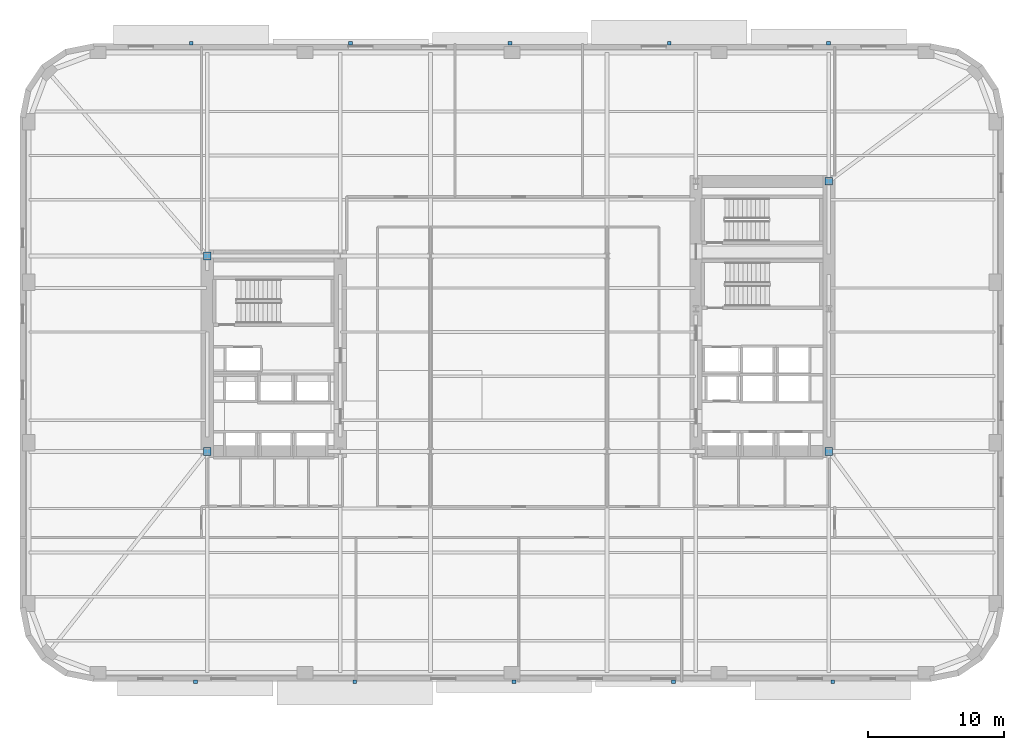
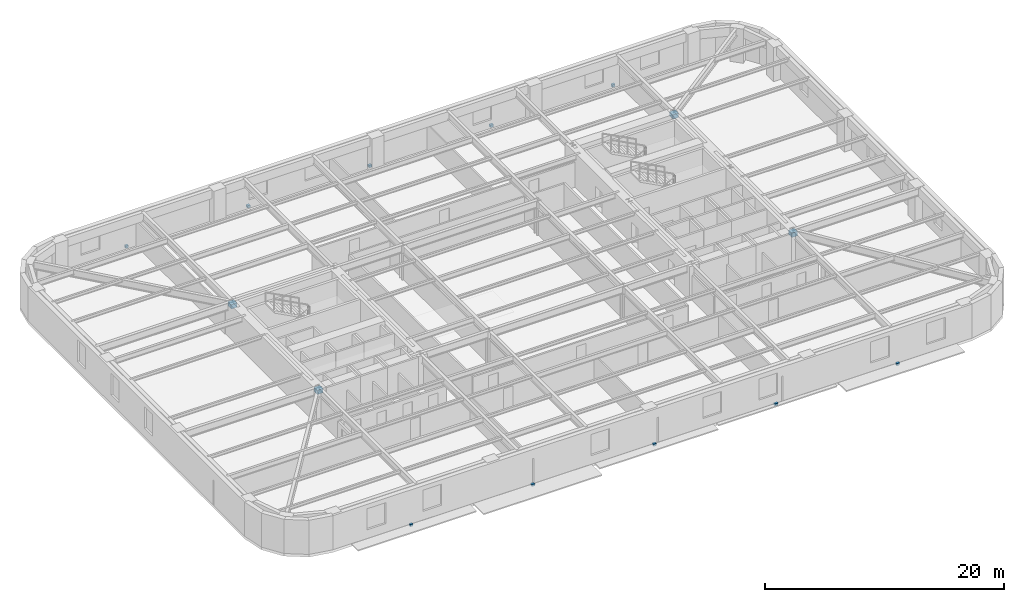
# One storey, part 8 of 15: 14 discrete accessories.
"""IFC4 building model written with IfcOpenShell, lengths in metres."""

import ifcopenshell
import ifcopenshell.guid

model = None  # the IFC model being written
_history = None  # IfcOwnerHistory: only IFC2X3 demands one
_inside = {}  # id of a spatial element -> (the spatial element, [elements in it])
_under = {}  # id of a project, library or spatial element -> (it, [spatial elements below it])
_declared = {}  # id of a project -> (the project, [libraries it declares])
_typed = {}  # id of a type object -> (the type object, [elements of that type])
_made_of = {}  # id of a material, layer set ... -> (it, [elements and type objects made of it])


def new_model(schema):
    """Start an empty IFC model of exactly this schema.

    Asked for "IFC4X3", IfcOpenShell would pick the latest addendum, in which some entities
    have other attributes; the version numbers below select the first issue.
    IFC2X3 requires an IfcOwnerHistory on every rooted entity: one is made here for all.
    """
    global model, _history
    if schema == "IFC4X3":
        model = ifcopenshell.file(schema_version=(4, 3, 0, 0))
    else:
        model = ifcopenshell.file(schema=schema)
    _inside.clear()
    _under.clear()
    _declared.clear()
    _typed.clear()
    _made_of.clear()
    _history = None
    if model.schema == "IFC2X3":
        org = make("IfcOrganization", Name="unknown")
        user = make(
            "IfcPersonAndOrganization",
            ThePerson=make("IfcPerson", FamilyName="unknown"),
            TheOrganization=org,
        )
        app = make(
            "IfcApplication",
            ApplicationDeveloper=org,
            Version="unknown",
            ApplicationFullName="unknown",
            ApplicationIdentifier="unknown",
        )
        _history = make(
            "IfcOwnerHistory",
            OwningUser=user,
            OwningApplication=app,
            ChangeAction="ADDED",
            CreationDate=0,
        )
    return model


def make(cls, **values):
    """One entity of the class cls with the attributes given. An attribute that is None is left unset."""
    return model.create_entity(
        cls, **{name: value for name, value in values.items() if value is not None}
    )


def rooted(cls, **values):
    """An entity with a GlobalId (a new one), such as an element, a storey or a relation."""
    return make(cls, GlobalId=ifcopenshell.guid.new(), OwnerHistory=_history, **values)


def si_unit(unit_type, name, prefix=None):
    """IfcSIUnit, for example si_unit("LENGTHUNIT", "METRE", prefix="MILLI")."""
    return make("IfcSIUnit", UnitType=unit_type, Prefix=prefix, Name=name)


def assignment(units):
    """IfcUnitAssignment: the units of a project."""
    return None if units is None else make("IfcUnitAssignment", Units=units)


def point(xyz):
    """IfcCartesianPoint."""
    return None if xyz is None else make("IfcCartesianPoint", Coordinates=xyz)


def direction(xyz):
    """IfcDirection."""
    return None if xyz is None else make("IfcDirection", DirectionRatios=xyz)


def frame(location, z_axis=None, x_axis=None):
    """IfcAxis2Placement3D, a coordinate frame: its origin and axes. An axis left out is left unset."""
    return make(
        "IfcAxis2Placement3D",
        Location=point(location),
        Axis=direction(z_axis),
        RefDirection=direction(x_axis),
    )


def frame_2d(location, x_axis=None):
    """IfcAxis2Placement2D, a coordinate frame in the plane: its origin and x axis."""
    return make(
        "IfcAxis2Placement2D", Location=point(location), RefDirection=direction(x_axis)
    )


def origin():
    """The frame at (0, 0, 0) with its axes left unset."""
    return frame((0.0, 0.0, 0.0))


def origin_2d():
    """The frame at (0, 0) in the plane with its x axis left unset."""
    return frame_2d((0.0, 0.0))


def place(relative_to, where):
    """IfcLocalPlacement: puts the frame where relative to a parent placement (None: the world)."""
    return make(
        "IfcLocalPlacement", PlacementRelTo=relative_to, RelativePlacement=where
    )


def context(
    kind, dimensions, precision=None, world=None, true_north=None, identifier=None
):
    """IfcGeometricRepresentationContext, for example the 3D "Model" context."""
    return make(
        "IfcGeometricRepresentationContext",
        ContextIdentifier=identifier,
        ContextType=kind,
        CoordinateSpaceDimension=dimensions,
        Precision=precision,
        WorldCoordinateSystem=world,
        TrueNorth=true_north,
    )


def subcontext(parent, identifier, kind, view, scale=None):
    """IfcGeometricRepresentationSubContext, for example "Body" below "Model"."""
    return make(
        "IfcGeometricRepresentationSubContext",
        ContextIdentifier=identifier,
        ContextType=kind,
        ParentContext=parent,
        TargetScale=scale,
        TargetView=view,
    )


def project(units=None, contexts=None):
    """IfcProject with its units and contexts."""
    return rooted(
        "IfcProject",
        Name="project",
        RepresentationContexts=contexts,
        UnitsInContext=assignment(units),
    )


def spatial(cls, under=None, at=None, **own):
    """A site, building, storey or space (cls), placed at a placement, below another one or the project."""
    s = rooted(cls, ObjectPlacement=at, **own)
    if under is not None:
        _under.setdefault(under.id(), (under, []))[1].append(s)
    return s


def profile(cls, at=None, kind="AREA", **sizes):
    """A parametric profile (cls). Its sizes go by their IFC names, for example OverallWidth=200.0."""
    return make(cls, ProfileType=kind, Position=at, **sizes)


def rectangle(**sizes):
    """IfcRectangleProfileDef."""
    return profile("IfcRectangleProfileDef", **sizes)


def extrude(swept, where, along, depth):
    """IfcExtrudedAreaSolid: the profile swept, set in the frame where, extruded along a direction by depth."""
    return make(
        "IfcExtrudedAreaSolid",
        SweptArea=swept,
        Position=where,
        ExtrudedDirection=direction(along),
        Depth=depth,
    )


def shape(context_of_items, identifier, shape_type, items):
    """IfcShapeRepresentation: the items that make up one representation, for example the "Body"."""
    return make(
        "IfcShapeRepresentation",
        ContextOfItems=context_of_items,
        RepresentationIdentifier=identifier,
        RepresentationType=shape_type,
        Items=items,
    )


def material(Name=None, Category=None):
    """IfcMaterial."""
    return make("IfcMaterial", Name=Name, Category=Category)


def made_of(thing, what):
    """Note that an element or type object is made of a material, layer set ...; save() writes the relation."""
    if what is not None:
        _made_of.setdefault(what.id(), (what, []))[1].append(thing)
    return thing


def type_object(cls, material=None, **own):
    """A type object (cls), such as IfcWallType, which elements share."""
    return made_of(rooted(cls, **own), material)


def element(
    cls,
    number,
    at=None,
    inside=None,
    cuts=None,
    type_object=None,
    material=None,
    context=None,
    identifier="Body",
    shape_type=None,
    held_by="IfcProductDefinitionShape",
    body=None,
    shapes=None,
    **own,
):
    """One element of the class cls, such as IfcWall. Its Tag is "e" and its number.

    at: its placement. inside: the storey or other place that contains it. cuts: it is an
    opening in that element (IfcRelVoidsElement). A single representation is given by context,
    identifier, shape_type and body (its items); several are given by shapes. held_by: the class
    of the entity that holds the representations. save() writes the other relations.
    """
    e = rooted(cls, Tag="e%d" % number, ObjectPlacement=at, **own)
    if body is not None:
        shapes = [shape(context, identifier, shape_type, body)]
    if shapes is not None:
        e.Representation = make(held_by, Representations=shapes)
    if inside is not None:
        _inside.setdefault(inside.id(), (inside, []))[1].append(e)
    if cuts is not None:
        rooted(
            "IfcRelVoidsElement", RelatingBuildingElement=cuts, RelatedOpeningElement=e
        )
    if type_object is not None:
        _typed.setdefault(type_object.id(), (type_object, []))[1].append(e)
    return made_of(e, material)


def aggregate(whole, parts):
    """IfcRelAggregates: a whole, such as a stair, and the parts it consists of."""
    return rooted("IfcRelAggregates", RelatingObject=whole, RelatedObjects=parts)


def save(model, path):
    """Write the relations noted so far, then the file.

    IfcRelAggregates (storeys below a building ...), IfcRelContainedInSpatialStructure (elements
    in a storey), IfcRelDefinesByType, IfcRelAssociatesMaterial and IfcRelDeclares: one each for
    every whole, place, type object, material and project.
    """
    for whole, parts in _under.values():
        aggregate(whole, parts)
    for where, things in _inside.values():
        rooted(
            "IfcRelContainedInSpatialStructure",
            RelatedElements=things,
            RelatingStructure=where,
        )
    for kind, things in _typed.values():
        rooted("IfcRelDefinesByType", RelatedObjects=things, RelatingType=kind)
    for what, things in _made_of.values():
        rooted("IfcRelAssociatesMaterial", RelatedObjects=things, RelatingMaterial=what)
    for by, libraries in _declared.values():
        rooted("IfcRelDeclares", RelatingContext=by, RelatedDefinitions=libraries)
    model.write(path)


model = new_model("IFC4")

# Units and contexts
model_context = context("Model", 3, precision=1e-05, world=origin(), true_north=direction((0.0, 1.0)))
body_context = subcontext(model_context, "Body", "Model", "MODEL_VIEW")
ifc_project = project(units=[si_unit("LENGTHUNIT", "METRE"), si_unit("AREAUNIT", "SQUARE_METRE"), si_unit("VOLUMEUNIT", "CUBIC_METRE"), si_unit("PLANEANGLEUNIT", "RADIAN"), si_unit("MASSUNIT", "GRAM", prefix="KILO")], contexts=[model_context])

# Site, building, storey
site_placement = place(None, origin())
site = spatial("IfcSite", under=ifc_project, at=site_placement, CompositionType="ELEMENT")
building_placement = place(site_placement, origin())
building = spatial("IfcBuilding", under=site, at=building_placement, Name="Kolvaren Arena Tower", CompositionType="ELEMENT")
storey_placement = place(building_placement, frame((0.0, 0.0, 64.5)))
storey = spatial("IfcBuildingStorey", under=building, at=storey_placement, Name="L13", CompositionType="ELEMENT", Elevation=64.5)

# Discrete accessories
ifc_material_1 = material(Name="Stainless steel facade support bracket", Category="steel")
discrete_accessory_type_1 = type_object("IfcDiscreteAccessoryType", Name="ACC-BRKT-1", PredefinedType="BRACKET", material=ifc_material_1)
for number, where, z_axis, x_axis, name in (
    (1, (13.3701171875, 49.52001953125, -0.18017578125), (0.0, 0.0, 1.0), (1.0, 0.0, 0.0), "Sunshade Support Bracket (L13)"),
    (2, (25.110107421875, 49.52001953125, -0.18017578125), (0.0, 0.0, 1.0), (1.0, 0.0, 0.0), "Sunshade Support Bracket (L13)"),
    (3, (36.85009765625, 49.52001953125, -0.18017578125), (0.0, 0.0, 1.0), (1.0, 0.0, 0.0), "Sunshade Support Bracket (L13)"),
    (4, (48.590087890625, 49.52001953125, -0.18017578125), (0.0, 0.0, 1.0), (1.0, 0.0, 0.0), "Sunshade Support Bracket (L13)"),
    (5, (60.330078125, 49.52001953125, -0.18017578125), (0.0, 0.0, 1.0), (1.0, 0.0, 0.0), "Sunshade Support Bracket (L13)"),
    (6, (60.6298828125, 2.47998046875, -0.18017578125), (0.0, 0.0, 1.0), (-1.0, 0.0, 0.0), "Sunshade Support Bracket (L13)"),
    (7, (48.889892578125, 2.47998046875, -0.18017578125), (0.0, 0.0, 1.0), (-1.0, 0.0, 0.0), "Sunshade Support Bracket (L13)"),
    (8, (37.14990234375, 2.47998046875, -0.18017578125), (0.0, 0.0, 1.0), (-1.0, 0.0, 0.0), "Sunshade Support Bracket (L13)"),
    (9, (25.409912109375, 2.47998046875, -0.18017578125), (0.0, 0.0, 1.0), (-1.0, 0.0, 0.0), "Sunshade Support Bracket (L13)"),
    (10, (13.669921875, 2.47998046875, -0.18017578125), (0.0, 0.0, 1.0), (-1.0, 0.0, 0.0), "Sunshade Support Bracket (L13)"),
):
    element("IfcDiscreteAccessory", number, at=place(storey_placement, frame(where, z_axis=z_axis, x_axis=x_axis)), inside=storey, type_object=discrete_accessory_type_1, Name=name, PredefinedType="BRACKET", context=body_context, shape_type="SweptSolid", body=[
        extrude(rectangle(XDim=0.280029296875, YDim=0.239990234375, at=origin_2d()), origin(), (0.0, 0.0, 1.0), 0.239990234375),
    ])
ifc_material_2 = material(Name="Steel CSA G40.21 350W bolted gusset connection", Category="steel")
discrete_accessory_type_2 = type_object("IfcDiscreteAccessoryType", Name="ACC-CONN-1", PredefinedType="BRACKET", material=ifc_material_2)
for number, where, z_axis, x_axis, name in (
    (11, (60.35009765625, 19.449951171875, 2.87353515625), (0.0, 0.0, 1.0), (1.0, 0.0, 0.0), "Core Wall Cast-In Embed Plate EP1 (L13)"),
    (12, (60.35009765625, 39.35009765625, 2.87353515625), (0.0, 0.0, 1.0), (1.0, 0.0, 0.0), "Core Wall Cast-In Embed Plate EP1 (L13)"),
    (13, (14.550048828125, 33.85009765625, 2.87353515625), (0.0, 0.0, 1.0), (1.0, 0.0, 0.0), "Core Wall Cast-In Embed Plate EP1 (L13)"),
    (14, (14.550048828125, 19.449951171875, 2.87353515625), (0.0, 0.0, 1.0), (1.0, 0.0, 0.0), "Core Wall Cast-In Embed Plate EP1 (L13)"),
):
    element("IfcDiscreteAccessory", number, at=place(storey_placement, frame(where, z_axis=z_axis, x_axis=x_axis)), inside=storey, type_object=discrete_accessory_type_2, Name=name, PredefinedType="BRACKET", context=body_context, shape_type="SweptSolid", body=[
        extrude(rectangle(XDim=0.56005859375, YDim=0.56005859375, at=origin_2d()), origin(), (0.0, 0.0, 1.0), 0.43994140625),
    ])

save(model, "model.ifc")
